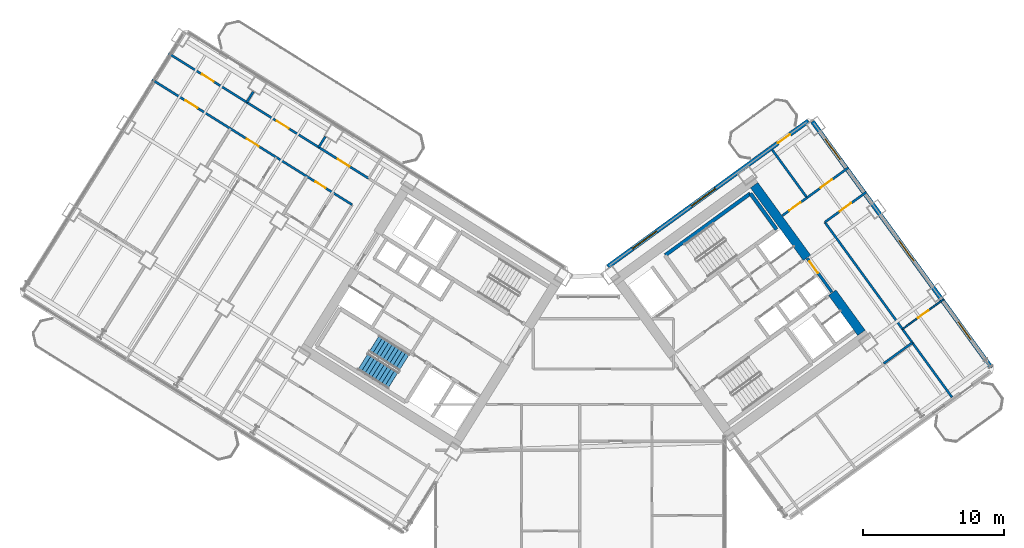
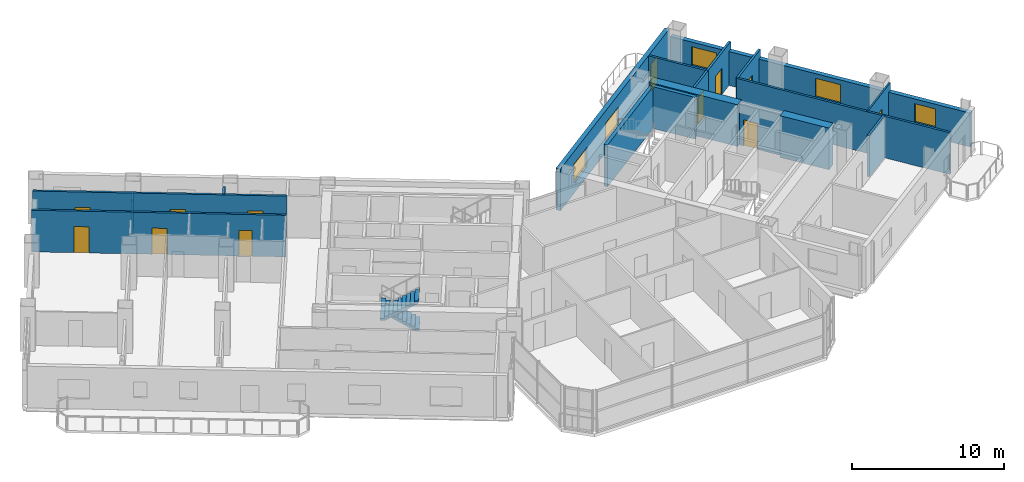
# One storey, part 19 of 28: 18 walls, 12 doors, 5 windows, 2 stair flights, 17 openings, 1 element without a shape of its own.
"""IFC4 building model written with IfcOpenShell, lengths in metres."""

from ifc_helpers import new_model, si_unit, direction, frame, frame_2d, origin, place, context, subcontext, project, spatial, polyline, rectangle, outline, extrude, source, transform, mapped, material, layer, layer_set, type_object, element, fill, aggregate, save


model = new_model("IFC4")

# Units and contexts
model_context = context("Model", 3, precision=1e-05, world=origin(), true_north=direction((0.0, 1.0)))
body_context = subcontext(model_context, "Body", "Model", "MODEL_VIEW")
ifc_project = project(units=[si_unit("LENGTHUNIT", "METRE"), si_unit("AREAUNIT", "SQUARE_METRE"), si_unit("VOLUMEUNIT", "CUBIC_METRE"), si_unit("PLANEANGLEUNIT", "RADIAN"), si_unit("MASSUNIT", "GRAM", prefix="KILO")], contexts=[model_context])

# Site, building, storey
site_placement = place(None, origin())
site = spatial("IfcSite", under=ifc_project, at=site_placement, CompositionType="ELEMENT")
building_placement = place(site_placement, origin())
building = spatial("IfcBuilding", under=site, at=building_placement, Name="Tlacorven Tower", CompositionType="ELEMENT")
storey_placement = place(building_placement, frame((0.0, 0.0, 42.0)))
storey = spatial("IfcBuildingStorey", under=building, at=storey_placement, Name="L10", CompositionType="ELEMENT", Elevation=42.0)

# Walls
ifc_material_1 = material(Name="Concrete C60/75", Category="concrete")
ifc_layer_1 = layer(ifc_material_1, 0.64990234375)
ifc_layer_set_1 = layer_set([ifc_layer_1], Name="Concrete C60/75")
wall_type_1 = type_object("IfcWallType", Name="WL-COR-650", PredefinedType="SHEAR", material=ifc_layer_set_1)
wall_1_placement = place(storey_placement, frame((61.9287109375, 20.494384765625, 0.0), z_axis=(0.0, 0.0, 1.0), x_axis=(-0.58782982593, 0.808984607855, 0.0)))
element("IfcWall", 1, at=wall_1_placement, inside=storey, type_object=wall_type_1, Name="L10 E core end wall E2.1", PredefinedType="SHEAR", context=body_context, shape_type="SweptSolid", body=[
    extrude(rectangle(XDim=3.52490234375, YDim=0.64990234375, at=frame_2d((1.762451171875, 0.0))), origin(), (0.0, 0.0, 1.0), 3.35009765625),
])
wall_2_placement = place(storey_placement, frame((58.06396484375, 25.8134765625, 0.0), z_axis=(0.0, 0.0, 1.0), x_axis=(-0.58777996584, 0.809020835181, 0.0)))
element("IfcWall", 2, at=wall_2_placement, inside=storey, type_object=wall_type_1, Name="L10 E core end wall E2.2", PredefinedType="SHEAR", context=body_context, shape_type="SweptSolid", body=[
    extrude(rectangle(XDim=6.375, YDim=0.64990234375, at=frame_2d((3.1875, 0.0))), origin(), (0.0, 0.0, 1.0), 3.35009765625),
])

# Wall, openings, doors
ifc_material_2 = material(Name="Gypsum plasterboard acoustic partition", Category="gypsum")
ifc_layer_2 = layer(ifc_material_2, 0.159912109375)
ifc_layer_set_2 = layer_set([ifc_layer_2], Name="Gypsum plasterboard acoustic partition")
wall_type_2 = type_object("IfcWallType", Name="WL-DEM-160", PredefinedType="PARTITIONING", material=ifc_layer_set_2)
wall_3_placement = place(storey_placement, frame((26.97265625, 31.447265625, 0.0), z_axis=(0.0, 0.0, 1.0), x_axis=(-0.848048310262, 0.529918921593, 0.0)))
wall_3 = element("IfcWall", 3, at=wall_3_placement, inside=storey, type_object=wall_type_2, Name="L10 Wing W Corridor South Wall", PredefinedType="PARTITIONING", context=body_context, shape_type="SweptSolid", body=[
    extrude(rectangle(XDim=16.72998046875, YDim=0.159912109375, at=frame_2d((8.364990234375, 0.0))), origin(), (0.0, 0.0, 1.0), 3.340087890625),
])
opening_1_placement = place(wall_3_placement, frame((1.58837890625, 0.0, 0.0)))
opening_1 = element("IfcOpeningElement", 4, at=opening_1_placement, cuts=wall_3, Name="Opening D11", PredefinedType="OPENING", context=body_context, shape_type="SweptSolid", body=[
    extrude(rectangle(XDim=1.0, YDim=2.10009765625, at=frame_2d((0.5, 1.050048828125))), frame((0.0, 0.08984375, 0.0), z_axis=(0.0, -1.0, 0.0), x_axis=(1.0, 0.0, 0.0)), (0.0, 0.0, 1.0), 0.179931640625),
])
opening_2_placement = place(wall_3_placement, frame((6.68505859375, 0.0, 0.0)))
opening_2 = element("IfcOpeningElement", 5, at=opening_2_placement, cuts=wall_3, Name="Opening D11", PredefinedType="OPENING", context=body_context, shape_type="SweptSolid", body=[
    extrude(rectangle(XDim=1.0, YDim=2.10009765625, at=frame_2d((0.5, 1.050048828125))), frame((0.0, 0.08984375, 0.0), z_axis=(0.0, -1.0, 0.0), x_axis=(1.0, 0.0, 0.0)), (0.0, 0.0, 1.0), 0.179931640625),
])
opening_3_placement = place(wall_3_placement, frame((12.951416015625, 0.0, 0.0)))
opening_3 = element("IfcOpeningElement", 6, at=opening_3_placement, cuts=wall_3, Name="Opening D11", PredefinedType="OPENING", context=body_context, shape_type="SweptSolid", body=[
    extrude(rectangle(XDim=1.0, YDim=2.10009765625, at=frame_2d((0.5, 1.050048828125))), frame((0.0, 0.08984375, 0.0), z_axis=(0.0, -1.0, 0.0), x_axis=(1.0, 0.0, 0.0)), (0.0, 0.0, 1.0), 0.179931640625),
])
ifc_material_3 = material(Name="Fire-rated steel door assembly", Category="steel")
door_type_1 = type_object("IfcDoorType", Name="DR-FLT-FD60-1000", OperationType="NOTDEFINED", PredefinedType="DOOR", material=ifc_material_3)
shared_shape_1 = source(origin(), body_context, "Body", "SweptSolid", [
    extrude(rectangle(XDim=1.0, YDim=2.10009765625, at=frame_2d((0.5, 1.050048828125))), frame((0.0, 0.02490234375, 0.0), z_axis=(0.0, -1.0, 0.0), x_axis=(1.0, 0.0, 0.0)), (0.0, 0.0, 1.0), 0.050048828125),
])
door_1_placement = place(opening_1_placement, frame((1.0, 0.0, 0.0), z_axis=(0.0, 0.0, 1.0), x_axis=(-1.0, 0.0, 0.0)))
door_1 = element("IfcDoor", 7, at=door_1_placement, inside=storey, type_object=door_type_1, Name="L10 door 032", OperationType="SINGLE_SWING_RIGHT", OverallHeight=2.10009765625, OverallWidth=1.0, PredefinedType="DOOR", context=body_context, shape_type="MappedRepresentation", body=[
    mapped(shared_shape_1, transform((0.0, 0.0, 0.0), scale=1.0)),
])
fill(opening_1, door_1)
door_2_placement = place(opening_2_placement, frame((1.0, 0.0, 0.0), z_axis=(0.0, 0.0, 1.0), x_axis=(-1.0, 0.0, 0.0)))
door_2 = element("IfcDoor", 8, at=door_2_placement, inside=storey, type_object=door_type_1, Name="L10 door 033", OperationType="SINGLE_SWING_LEFT", OverallHeight=2.10009765625, OverallWidth=1.0, PredefinedType="DOOR", context=body_context, shape_type="MappedRepresentation", body=[
    mapped(shared_shape_1, transform((0.0, 0.0, 0.0), scale=1.0)),
])
fill(opening_2, door_2)
door_3_placement = place(opening_3_placement, frame((1.0, 0.0, 0.0), z_axis=(0.0, 0.0, 1.0), x_axis=(-1.0, 0.0, 0.0)))
door_3 = element("IfcDoor", 9, at=door_3_placement, inside=storey, type_object=door_type_1, Name="L10 door 034", OperationType="SINGLE_SWING_RIGHT", OverallHeight=2.10009765625, OverallWidth=1.0, PredefinedType="DOOR", context=body_context, shape_type="MappedRepresentation", body=[
    mapped(shared_shape_1, transform((0.0, 0.0, 0.0), scale=1.0)),
])
fill(opening_3, door_3)

wall_4_placement = place(storey_placement, frame((25.806884765625, 29.58154296875, 0.0), z_axis=(0.0, 0.0, 1.0), x_axis=(-0.848052408131, 0.529912363569, 0.0)))
wall_4 = element("IfcWall", 10, at=wall_4_placement, inside=storey, type_object=wall_type_2, Name="L10 Wing W Corridor North Wall", PredefinedType="PARTITIONING", context=body_context, shape_type="SweptSolid", body=[
    extrude(rectangle(XDim=16.72998046875, YDim=0.159912109375, at=frame_2d((8.364990234375, 0.0))), origin(), (0.0, 0.0, 1.0), 3.340087890625),
])
opening_4_placement = place(wall_4_placement, frame((2.219970703125, 0.0, 0.0)))
opening_4 = element("IfcOpeningElement", 11, at=opening_4_placement, cuts=wall_4, Name="Opening D19", PredefinedType="OPENING", context=body_context, shape_type="SweptSolid", body=[
    extrude(rectangle(XDim=0.860107421875, YDim=2.050048828125, at=frame_2d((0.43017578125, 1.02490234375))), frame((0.0, 0.08984375, 0.0), z_axis=(0.0, -1.0, 0.0), x_axis=(1.0, 0.0, 0.0)), (0.0, 0.0, 1.0), 0.179931640625),
])
opening_5_placement = place(wall_4_placement, frame((7.820068359375, 0.0, 0.0)))
opening_5 = element("IfcOpeningElement", 12, at=opening_5_placement, cuts=wall_4, Name="Opening D11", PredefinedType="OPENING", context=body_context, shape_type="SweptSolid", body=[
    extrude(rectangle(XDim=1.0, YDim=2.10009765625, at=frame_2d((0.5, 1.050048828125))), frame((0.0, 0.08984375, 0.0), z_axis=(0.0, -1.0, 0.0), x_axis=(1.0, 0.0, 0.0)), (0.0, 0.0, 1.0), 0.179931640625),
])
opening_6_placement = place(wall_4_placement, frame((12.949951171875, 0.0, 0.0)))
opening_6 = element("IfcOpeningElement", 13, at=opening_6_placement, cuts=wall_4, Name="Opening D11", PredefinedType="OPENING", context=body_context, shape_type="SweptSolid", body=[
    extrude(rectangle(XDim=1.0, YDim=2.10009765625, at=frame_2d((0.5, 1.050048828125))), frame((0.0, 0.08984375, 0.0), z_axis=(0.0, -1.0, 0.0), x_axis=(1.0, 0.0, 0.0)), (0.0, 0.0, 1.0), 0.179931640625),
])
door_type_2 = type_object("IfcDoorType", Name="DR-RSR-FD60-0860", OperationType="NOTDEFINED", PredefinedType="DOOR", material=ifc_material_3)
shared_shape_2 = source(origin(), body_context, "Body", "SweptSolid", [
    extrude(rectangle(XDim=0.860107421875, YDim=2.050048828125, at=frame_2d((0.43017578125, 1.02490234375))), frame((0.0, 0.02490234375, 0.0), z_axis=(0.0, -1.0, 0.0), x_axis=(1.0, 0.0, 0.0)), (0.0, 0.0, 1.0), 0.050048828125),
])
door_4_placement = place(opening_4_placement, origin())
door_4 = element("IfcDoor", 14, at=door_4_placement, inside=storey, type_object=door_type_2, Name="L10 door 023", OperationType="SINGLE_SWING_LEFT", OverallHeight=2.050048828125, OverallWidth=0.860107421875, PredefinedType="DOOR", context=body_context, shape_type="MappedRepresentation", body=[
    mapped(shared_shape_2, transform((0.0, 0.0, 0.0), scale=1.0)),
])
fill(opening_4, door_4)
door_5_placement = place(opening_5_placement, origin())
door_5 = element("IfcDoor", 15, at=door_5_placement, inside=storey, type_object=door_type_1, Name="L10 door 027", OperationType="SINGLE_SWING_LEFT", OverallHeight=2.10009765625, OverallWidth=1.0, PredefinedType="DOOR", context=body_context, shape_type="MappedRepresentation", body=[
    mapped(shared_shape_1, transform((0.0, 0.0, 0.0), scale=1.0)),
])
fill(opening_5, door_5)
door_6_placement = place(opening_6_placement, origin())
door_6 = element("IfcDoor", 16, at=door_6_placement, inside=storey, type_object=door_type_1, Name="L10 door 030", OperationType="SINGLE_SWING_RIGHT", OverallHeight=2.10009765625, OverallWidth=1.0, PredefinedType="DOOR", context=body_context, shape_type="MappedRepresentation", body=[
    mapped(shared_shape_1, transform((0.0, 0.0, 0.0), scale=1.0)),
])
fill(opening_6, door_6)

# Walls
wall_5_placement = place(storey_placement, frame((23.90087890625, 34.413818359375, 0.0), z_axis=(0.0, 0.0, 1.0), x_axis=(-0.529776512202, -0.848137280821, 0.0)))
element("IfcWall", 17, at=wall_5_placement, inside=storey, type_object=wall_type_2, Name="L10 partition 64", PredefinedType="PARTITIONING", context=body_context, shape_type="SweptSolid", body=[
    extrude(rectangle(XDim=0.887939453125, YDim=0.159912109375, at=frame_2d((0.44384765625, 0.0))), origin(), (0.0, 0.0, 1.0), 3.340087890625),
])
wall_6_placement = place(storey_placement, frame((18.799072265625, 37.601806640625, 0.0), z_axis=(0.0, 0.0, 1.0), x_axis=(-0.529974231203, -0.848013746505, 0.0)))
element("IfcWall", 18, at=wall_6_placement, inside=storey, type_object=wall_type_2, Name="L10 partition 65", PredefinedType="PARTITIONING", context=body_context, shape_type="SweptSolid", body=[
    extrude(rectangle(XDim=0.88818359375, YDim=0.159912109375, at=frame_2d((0.444091796875, 0.0))), origin(), (0.0, 0.0, 1.0), 2.72509765625),
])
wall_7_placement = place(storey_placement, frame((63.5068359375, 18.322021484375, 0.0), z_axis=(0.0, 0.0, 1.0), x_axis=(0.809034604122, 0.587761013791, 0.0)))
element("IfcWall", 19, at=wall_7_placement, inside=storey, type_object=wall_type_2, Name="L10 partition 87", PredefinedType="PARTITIONING", context=body_context, shape_type="SweptSolid", body=[
    extrude(rectangle(XDim=2.510009765625, YDim=0.159912109375, at=frame_2d((1.2548828125, 0.0))), origin(), (0.0, 0.0, 1.0), 3.340087890625),
])

# Wall, opening, door
wall_8_placement = place(storey_placement, frame((56.32080078125, 28.8115234375, 0.0), z_axis=(0.0, 0.0, 1.0), x_axis=(0.809029482429, 0.587768063577, 0.0)))
wall_8 = element("IfcWall", 20, at=wall_8_placement, inside=storey, type_object=wall_type_2, Name="L10 partition 88", PredefinedType="PARTITIONING", context=body_context, shape_type="SweptSolid", body=[
    extrude(rectangle(XDim=2.158203125, YDim=0.159912109375, at=frame_2d((1.0791015625, 0.0))), origin(), (0.0, 0.0, 1.0), 3.340087890625),
])
opening_7_placement = place(wall_8_placement, frame((0.597900390625, 0.0, 0.0)))
opening_7 = element("IfcOpeningElement", 21, at=opening_7_placement, cuts=wall_8, Name="Opening D11", PredefinedType="OPENING", context=body_context, shape_type="SweptSolid", body=[
    extrude(rectangle(XDim=1.0, YDim=2.10009765625, at=frame_2d((0.5, 1.050048828125))), frame((0.0, 0.08984375, 0.0), z_axis=(0.0, -1.0, 0.0), x_axis=(1.0, 0.0, 0.0)), (0.0, 0.0, 1.0), 0.179931640625),
])
door_7_placement = place(opening_7_placement, origin())
door_7 = element("IfcDoor", 22, at=door_7_placement, inside=storey, type_object=door_type_1, Name="L10 door 051", OperationType="SINGLE_SWING_LEFT", OverallHeight=2.10009765625, OverallWidth=1.0, PredefinedType="DOOR", context=body_context, shape_type="MappedRepresentation", body=[
    mapped(shared_shape_1, transform((0.0, 0.0, 0.0), scale=1.0)),
])
fill(opening_7, door_7)

# Walls
wall_9_placement = place(storey_placement, frame((68.35302734375, 15.922119140625, 0.0), z_axis=(0.0, 0.0, 1.0), x_axis=(-0.587782002009, 0.809019355834, 0.0)))
element("IfcWall", 23, at=wall_9_placement, inside=storey, type_object=wall_type_2, Name="L10 partition 89", PredefinedType="PARTITIONING", context=body_context, shape_type="SweptSolid", body=[
    extrude(rectangle(XDim=15.35009765625, YDim=0.159912109375, at=frame_2d((7.675048828125, 0.0))), origin(), (0.0, 0.0, 1.0), 3.340087890625),
])
wall_10_placement = place(storey_placement, frame((58.06689453125, 30.080078125, 0.0), z_axis=(0.0, 0.0, 1.0), x_axis=(-0.587812175236, 0.808997433027, 0.0)))
element("IfcWall", 24, at=wall_10_placement, inside=storey, type_object=wall_type_2, Name="L10 partition 90", PredefinedType="PARTITIONING", context=body_context, shape_type="SweptSolid", body=[
    extrude(rectangle(XDim=4.199951171875, YDim=0.159912109375, at=frame_2d((2.10009765625, 0.0))), origin(), (0.0, 0.0, 1.0), 3.340087890625),
])

# Wall, opening, door
wall_11_placement = place(storey_placement, frame((59.33056640625, 28.340576171875, 0.0), z_axis=(0.0, 0.0, 1.0), x_axis=(0.809003564202, 0.587803736896, 0.0)))
wall_11 = element("IfcWall", 25, at=wall_11_placement, inside=storey, type_object=wall_type_2, Name="L10 partition 92", PredefinedType="PARTITIONING", context=body_context, shape_type="SweptSolid", body=[
    extrude(rectangle(XDim=3.630126953125, YDim=0.159912109375, at=frame_2d((1.81494140625, 0.0))), origin(), (0.0, 0.0, 1.0), 3.340087890625),
])
opening_8_placement = place(wall_11_placement, frame((1.304931640625, 0.0, 0.0)))
opening_8 = element("IfcOpeningElement", 26, at=opening_8_placement, cuts=wall_11, Name="Opening D11", PredefinedType="OPENING", context=body_context, shape_type="SweptSolid", body=[
    extrude(rectangle(XDim=1.0, YDim=2.10009765625, at=frame_2d((0.5, 1.050048828125))), frame((0.0, 0.08984375, 0.0), z_axis=(0.0, -1.0, 0.0), x_axis=(1.0, 0.0, 0.0)), (0.0, 0.0, 1.0), 0.179931640625),
])
door_8_placement = place(opening_8_placement, origin())
door_8 = element("IfcDoor", 27, at=door_8_placement, inside=storey, type_object=door_type_1, Name="L10 door 054", OperationType="SINGLE_SWING_RIGHT", OverallHeight=2.10009765625, OverallWidth=1.0, PredefinedType="DOOR", context=body_context, shape_type="MappedRepresentation", body=[
    mapped(shared_shape_1, transform((0.0, 0.0, 0.0), scale=1.0)),
])
fill(opening_8, door_8)

wall_12_placement = place(storey_placement, frame((58.06689453125, 30.080078125, 0.0), z_axis=(0.0, 0.0, 1.0), x_axis=(0.809012309495, 0.587791700422, 0.0)))
wall_12 = element("IfcWall", 28, at=wall_12_placement, inside=storey, type_object=wall_type_2, Name="L10 partition 93", PredefinedType="PARTITIONING", context=body_context, shape_type="SweptSolid", body=[
    extrude(rectangle(XDim=3.6298828125, YDim=0.159912109375, at=frame_2d((1.81494140625, 0.0))), origin(), (0.0, 0.0, 1.0), 3.340087890625),
])
opening_9_placement = place(wall_12_placement, frame((1.199951171875, 0.0, 0.0)))
opening_9 = element("IfcOpeningElement", 29, at=opening_9_placement, cuts=wall_12, Name="Opening D11", PredefinedType="OPENING", context=body_context, shape_type="SweptSolid", body=[
    extrude(rectangle(XDim=1.0, YDim=2.10009765625, at=frame_2d((0.5, 1.050048828125))), frame((0.0, 0.08984375, 0.0), z_axis=(0.0, -1.0, 0.0), x_axis=(1.0, 0.0, 0.0)), (0.0, 0.0, 1.0), 0.179931640625),
])
door_9_placement = place(opening_9_placement, origin())
door_9 = element("IfcDoor", 30, at=door_9_placement, inside=storey, type_object=door_type_1, Name="L10 door 053", OperationType="SINGLE_SWING_LEFT", OverallHeight=2.10009765625, OverallWidth=1.0, PredefinedType="DOOR", context=body_context, shape_type="MappedRepresentation", body=[
    mapped(shared_shape_1, transform((0.0, 0.0, 0.0), scale=1.0)),
])
fill(opening_9, door_9)

# Wall, openings, door, windows
ifc_material_4 = material(Name="Precast concrete C45/55", Category="concrete")
ifc_layer_3 = layer(ifc_material_4, 0.320068359375)
ifc_layer_set_3 = layer_set([ifc_layer_3], Name="Precast concrete C45/55")
wall_type_3 = type_object("IfcWallType", Name="WL-EXT-320", PredefinedType="STANDARD", material=ifc_layer_set_3)
wall_13_placement = place(storey_placement, frame((43.93798828125, 25.191650390625, 0.0), z_axis=(0.0, 0.0, 1.0), x_axis=(0.809016324578, 0.587786174187, 0.0)))
wall_13 = element("IfcWall", 31, at=wall_13_placement, inside=storey, type_object=wall_type_3, Name="L10 Masonry-Frame Recessed Facade Wall 4", PredefinedType="STANDARD", context=body_context, shape_type="SweptSolid", body=[
    extrude(rectangle(XDim=17.58740234375, YDim=0.320068359375, at=frame_2d((8.793701171875, 0.0))), origin(), (0.0, 0.0, 1.0), 3.35009765625),
])
opening_10_placement = place(wall_13_placement, frame((14.913818359375, 0.0, 0.0)))
opening_10 = element("IfcOpeningElement", 32, at=opening_10_placement, cuts=wall_13, Name="Opening D06", PredefinedType="OPENING", context=body_context, shape_type="SweptSolid", body=[
    extrude(rectangle(XDim=1.050048828125, YDim=2.14990234375, at=frame_2d((0.52490234375, 1.074951171875))), frame((0.0, 0.169921875, 0.0), z_axis=(0.0, -1.0, 0.0), x_axis=(1.0, 0.0, 0.0)), (0.0, 0.0, 1.0), 0.340087890625),
])
opening_11_placement = place(wall_13_placement, frame((2.168701171875, 0.0, 0.800048828125)))
opening_11 = element("IfcOpeningElement", 33, at=opening_11_placement, cuts=wall_13, Name="Opening WN04", PredefinedType="OPENING", context=body_context, shape_type="SweptSolid", body=[
    extrude(rectangle(XDim=2.10009765625, YDim=1.550048828125, at=frame_2d((1.050048828125, 0.77490234375))), frame((0.0, 0.169921875, 0.0), z_axis=(0.0, -1.0, 0.0), x_axis=(1.0, 0.0, 0.0)), (0.0, 0.0, 1.0), 0.340087890625),
])
opening_12_placement = place(wall_13_placement, frame((7.318603515625, 0.0, 0.800048828125)))
opening_12 = element("IfcOpeningElement", 34, at=opening_12_placement, cuts=wall_13, Name="Opening WN04", PredefinedType="OPENING", context=body_context, shape_type="SweptSolid", body=[
    extrude(rectangle(XDim=2.10009765625, YDim=1.550048828125, at=frame_2d((1.050048828125, 0.77490234375))), frame((0.0, 0.169921875, 0.0), z_axis=(0.0, -1.0, 0.0), x_axis=(1.0, 0.0, 0.0)), (0.0, 0.0, 1.0), 0.340087890625),
])
ifc_material_5 = material(Name="Powder-coated aluminium and timber door", Category="wood")
door_type_3 = type_object("IfcDoorType", Name="DR-EXT-BALC-1050", OperationType="NOTDEFINED", PredefinedType="DOOR", material=ifc_material_5)
shared_shape_3 = source(origin(), body_context, "Body", "SweptSolid", [
    extrude(rectangle(XDim=1.050048828125, YDim=2.14990234375, at=frame_2d((0.52490234375, 1.074951171875))), frame((0.0, 0.02490234375, 0.0), z_axis=(0.0, -1.0, 0.0), x_axis=(1.0, 0.0, 0.0)), (0.0, 0.0, 1.0), 0.050048828125),
])
door_10_placement = place(opening_10_placement, origin())
door_10 = element("IfcDoor", 35, at=door_10_placement, inside=storey, type_object=door_type_3, Name="L10 Outdoor Access Door BAL-L10-E-IN", OperationType="SINGLE_SWING_RIGHT", OverallHeight=2.14990234375, OverallWidth=1.050048828125, PredefinedType="DOOR", context=body_context, shape_type="MappedRepresentation", body=[
    mapped(shared_shape_3, transform((0.0, 0.0, 0.0), scale=1.0)),
])
fill(opening_10, door_10)
ifc_material_6 = material(Name="Dark solar low-E double glazing in anodised aluminium frame", Category="aluminium")
window_type_1 = type_object("IfcWindowType", Name="WN-APT-2100X1750", PartitioningType="SINGLE_PANEL", PredefinedType="WINDOW", material=ifc_material_6)
shared_shape_4 = source(origin(), body_context, "Body", "SweptSolid", [
    extrude(rectangle(XDim=2.10009765625, YDim=1.550048828125, at=frame_2d((1.050048828125, 0.77490234375))), frame((0.0, 0.030029296875, 0.0), z_axis=(0.0, -1.0, 0.0), x_axis=(1.0, 0.0, 0.0)), (0.0, 0.0, 1.0), 0.06005859375),
])
window_1_placement = place(opening_11_placement, origin())
window_1 = element("IfcWindow", 36, at=window_1_placement, inside=storey, type_object=window_type_1, Name="L10 Recessed Masonry-Frame Window L10-04.1", OverallHeight=1.550048828125, OverallWidth=2.10009765625, PartitioningType="SINGLE_PANEL", PredefinedType="WINDOW", context=body_context, shape_type="MappedRepresentation", body=[
    mapped(shared_shape_4, transform((0.0, 0.0, 0.0), scale=1.0)),
])
fill(opening_11, window_1)
window_2_placement = place(opening_12_placement, origin())
window_2 = element("IfcWindow", 37, at=window_2_placement, inside=storey, type_object=window_type_1, Name="L10 Recessed Masonry-Frame Window L10-04.2", OverallHeight=1.550048828125, OverallWidth=2.10009765625, PartitioningType="SINGLE_PANEL", PredefinedType="WINDOW", context=body_context, shape_type="MappedRepresentation", body=[
    mapped(shared_shape_4, transform((0.0, 0.0, 0.0), scale=1.0)),
])
fill(opening_12, window_2)

# Wall, openings, windows
wall_14_placement = place(storey_placement, frame((58.45458984375, 35.483642578125, 0.0), z_axis=(0.0, 0.0, 1.0), x_axis=(0.587783625747, -0.809018176127, 0.0)))
wall_14 = element("IfcWall", 38, at=wall_14_placement, inside=storey, type_object=wall_type_3, Name="L10 Masonry-Frame Recessed Facade Wall 5", PredefinedType="STANDARD", context=body_context, shape_type="SweptSolid", body=[
    extrude(rectangle(XDim=21.58740234375, YDim=0.320068359375, at=frame_2d((10.793701171875, 0.0))), origin(), (0.0, 0.0, 1.0), 2.72509765625),
])
opening_13_placement = place(wall_14_placement, frame((1.52880859375, 0.0, 0.85009765625)))
opening_13 = element("IfcOpeningElement", 39, at=opening_13_placement, cuts=wall_14, Name="Opening WN01", PredefinedType="OPENING", context=body_context, shape_type="SweptSolid", body=[
    extrude(rectangle(XDim=1.800048828125, YDim=1.5, at=frame_2d((0.89990234375, 0.75))), frame((0.0, 0.169921875, 0.0), z_axis=(0.0, -1.0, 0.0), x_axis=(1.0, 0.0, 0.0)), (0.0, 0.0, 1.0), 0.340087890625),
])
opening_14_placement = place(wall_14_placement, frame((10.443603515625, 0.0, 0.85009765625)))
opening_14 = element("IfcOpeningElement", 40, at=opening_14_placement, cuts=wall_14, Name="Opening WN01", PredefinedType="OPENING", context=body_context, shape_type="SweptSolid", body=[
    extrude(rectangle(XDim=1.800048828125, YDim=1.5, at=frame_2d((0.89990234375, 0.75))), frame((0.0, 0.169921875, 0.0), z_axis=(0.0, -1.0, 0.0), x_axis=(1.0, 0.0, 0.0)), (0.0, 0.0, 1.0), 0.340087890625),
])
opening_15_placement = place(wall_14_placement, frame((17.5947265625, 0.0, 0.85009765625)))
opening_15 = element("IfcOpeningElement", 41, at=opening_15_placement, cuts=wall_14, Name="Opening WN02", PredefinedType="OPENING", context=body_context, shape_type="SweptSolid", body=[
    extrude(rectangle(XDim=1.5, YDim=1.5, at=frame_2d((0.75, 0.75))), frame((0.0, 0.169921875, 0.0), z_axis=(0.0, -1.0, 0.0), x_axis=(1.0, 0.0, 0.0)), (0.0, 0.0, 1.0), 0.340087890625),
])
window_type_2 = type_object("IfcWindowType", Name="WN-APT-1800X1650", PartitioningType="SINGLE_PANEL", PredefinedType="WINDOW", material=ifc_material_6)
shared_shape_5 = source(origin(), body_context, "Body", "SweptSolid", [
    extrude(rectangle(XDim=1.800048828125, YDim=1.5, at=frame_2d((0.89990234375, 0.75))), frame((0.0, 0.030029296875, 0.0), z_axis=(0.0, -1.0, 0.0), x_axis=(1.0, 0.0, 0.0)), (0.0, 0.0, 1.0), 0.06005859375),
])
window_3_placement = place(opening_13_placement, origin())
window_3 = element("IfcWindow", 42, at=window_3_placement, inside=storey, type_object=window_type_2, Name="L10 Recessed Masonry-Frame Window L10-05.1", OverallHeight=1.5, OverallWidth=1.800048828125, PartitioningType="SINGLE_PANEL", PredefinedType="WINDOW", context=body_context, shape_type="MappedRepresentation", body=[
    mapped(shared_shape_5, transform((0.0, 0.0, 0.0), scale=1.0)),
])
fill(opening_13, window_3)
window_4_placement = place(opening_14_placement, origin())
window_4 = element("IfcWindow", 43, at=window_4_placement, inside=storey, type_object=window_type_2, Name="L10 Recessed Masonry-Frame Window L10-05.2", OverallHeight=1.5, OverallWidth=1.800048828125, PartitioningType="SINGLE_PANEL", PredefinedType="WINDOW", context=body_context, shape_type="MappedRepresentation", body=[
    mapped(shared_shape_5, transform((0.0, 0.0, 0.0), scale=1.0)),
])
fill(opening_14, window_4)
window_type_3 = type_object("IfcWindowType", Name="WN-APT-1500X1650", PartitioningType="SINGLE_PANEL", PredefinedType="WINDOW", material=ifc_material_6)
shared_shape_6 = source(origin(), body_context, "Body", "SweptSolid", [
    extrude(rectangle(XDim=1.5, YDim=1.5, at=frame_2d((0.75, 0.75))), frame((0.0, 0.030029296875, 0.0), z_axis=(0.0, -1.0, 0.0), x_axis=(1.0, 0.0, 0.0)), (0.0, 0.0, 1.0), 0.06005859375),
])
window_5_placement = place(opening_15_placement, origin())
window_5 = element("IfcWindow", 44, at=window_5_placement, inside=storey, type_object=window_type_3, Name="L10 Recessed Masonry-Frame Window L10-05.3", OverallHeight=1.5, OverallWidth=1.5, PartitioningType="SINGLE_PANEL", PredefinedType="WINDOW", context=body_context, shape_type="MappedRepresentation", body=[
    mapped(shared_shape_6, transform((0.0, 0.0, 0.0), scale=1.0)),
])
fill(opening_15, window_5)

# Wall, opening, door
ifc_material_7 = material(Name="Gypsum plasterboard partition", Category="gypsum")
ifc_layer_4 = layer(ifc_material_7, 0.110107421875)
ifc_layer_set_4 = layer_set([ifc_layer_4], Name="Gypsum plasterboard partition")
wall_type_4 = type_object("IfcWallType", Name="WL-INT-110", PredefinedType="PARTITIONING", material=ifc_layer_set_4)
wall_15_placement = place(storey_placement, frame((64.83935546875, 20.758544921875, 0.0), z_axis=(0.0, 0.0, 1.0), x_axis=(0.809013833588, 0.587789602718, 0.0)))
wall_15 = element("IfcWall", 45, at=wall_15_placement, inside=storey, type_object=wall_type_4, Name="L10 partition 94", PredefinedType="PARTITIONING", context=body_context, shape_type="SweptSolid", body=[
    extrude(rectangle(XDim=3.60986328125, YDim=0.110107421875, at=frame_2d((1.804931640625, 0.0))), origin(), (0.0, 0.0, 1.0), 3.340087890625),
])
opening_16_placement = place(wall_15_placement, frame((1.344970703125, 0.0, 0.0)))
opening_16 = element("IfcOpeningElement", 46, at=opening_16_placement, cuts=wall_15, Name="Opening D12", PredefinedType="OPENING", context=body_context, shape_type="SweptSolid", body=[
    extrude(rectangle(XDim=0.919921875, YDim=2.080078125, at=frame_2d((0.4599609375, 1.0400390625))), frame((0.0, 0.06494140625, 0.0), z_axis=(0.0, -1.0, 0.0), x_axis=(1.0, 0.0, 0.0)), (0.0, 0.0, 1.0), 0.130126953125),
])
door_type_4 = type_object("IfcDoorType", Name="DR-INT-ROOM-0920", OperationType="NOTDEFINED", PredefinedType="DOOR", material=ifc_material_5)
shared_shape_7 = source(origin(), body_context, "Body", "SweptSolid", [
    extrude(rectangle(XDim=0.919921875, YDim=2.080078125, at=frame_2d((0.4599609375, 1.0400390625))), frame((0.0, 0.02490234375, 0.0), z_axis=(0.0, -1.0, 0.0), x_axis=(1.0, 0.0, 0.0)), (0.0, 0.0, 1.0), 0.050048828125),
])
door_11_placement = place(opening_16_placement, origin())
door_11 = element("IfcDoor", 47, at=door_11_placement, inside=storey, type_object=door_type_4, Name="L10 door 055", OperationType="SINGLE_SWING_LEFT", OverallHeight=2.080078125, OverallWidth=0.919921875, PredefinedType="DOOR", context=body_context, shape_type="MappedRepresentation", body=[
    mapped(shared_shape_7, transform((0.0, 0.0, 0.0), scale=1.0)),
])
fill(opening_16, door_11)

ifc_material_8 = material(Name="Concrete C40/50", Category="concrete")
ifc_layer_5 = layer(ifc_material_8, 0.199951171875)
ifc_layer_set_5 = layer_set([ifc_layer_5], Name="Concrete C40/50")
wall_type_5 = type_object("IfcWallType", Name="WL-SHF-200", PredefinedType="STANDARD", material=ifc_layer_set_5)
wall_16_placement = place(storey_placement, frame((59.827392578125, 23.386474609375, 0.0), z_axis=(0.0, 0.0, 1.0), x_axis=(-0.587803840107, 0.809003489211, 0.0)))
wall_16 = element("IfcWall", 48, at=wall_16_placement, inside=storey, type_object=wall_type_5, Name="L10 partition 86", PredefinedType="STANDARD", context=body_context, shape_type="SweptSolid", body=[
    extrude(rectangle(XDim=2.960205078125, YDim=0.199951171875, at=frame_2d((1.47998046875, 0.0))), origin(), (0.0, 0.0, 1.0), 3.340087890625),
])
opening_17_placement = place(wall_16_placement, frame((1.679931640625, 0.0, 0.0)))
opening_17 = element("IfcOpeningElement", 49, at=opening_17_placement, cuts=wall_16, Name="Opening D11", PredefinedType="OPENING", context=body_context, shape_type="SweptSolid", body=[
    extrude(rectangle(XDim=1.0, YDim=2.10009765625, at=frame_2d((0.5, 1.050048828125))), frame((0.0, 0.10986328125, 0.0), z_axis=(0.0, -1.0, 0.0), x_axis=(1.0, 0.0, 0.0)), (0.0, 0.0, 1.0), 0.219970703125),
])
door_12_placement = place(opening_17_placement, origin())
door_12 = element("IfcDoor", 50, at=door_12_placement, inside=storey, type_object=door_type_1, Name="L10 door 052", OperationType="SINGLE_SWING_RIGHT", OverallHeight=2.10009765625, OverallWidth=1.0, PredefinedType="DOOR", context=body_context, shape_type="MappedRepresentation", body=[
    mapped(shared_shape_1, transform((0.0, 0.0, 0.0), scale=1.0)),
])
fill(opening_17, door_12)

# Walls
ifc_material_9 = material(Name="Concrete C50/60", Category="concrete")
ifc_layer_6 = layer(ifc_material_9, 0.260009765625)
ifc_layer_set_6 = layer_set([ifc_layer_6], Name="Concrete C50/60")
wall_type_6 = type_object("IfcWallType", Name="WL-STW-260", PredefinedType="SHEAR", material=ifc_layer_set_6)
wall_17_placement = place(storey_placement, frame((48.005615234375, 25.996337890625, 0.0), z_axis=(0.0, 0.0, 1.0), x_axis=(0.80901903764, 0.587782439969, 0.0)))
element("IfcWall", 51, at=wall_17_placement, inside=storey, type_object=wall_type_6, Name="L10 Stair E1 Far Shear Wall", PredefinedType="SHEAR", context=body_context, shape_type="SweptSolid", body=[
    extrude(rectangle(XDim=7.4599609375, YDim=0.260009765625, at=frame_2d((3.72998046875, 0.0))), origin(), (0.0, 0.0, 1.0), 3.35009765625),
])
wall_18_placement = place(storey_placement, frame((55.906494140625, 27.83056640625, 0.0), z_axis=(0.0, 0.0, 1.0), x_axis=(-0.587804123638, 0.809003283204, 0.0)))
element("IfcWall", 52, at=wall_18_placement, inside=storey, type_object=wall_type_6, Name="L10 Stair E1 East Shear Wall", PredefinedType="SHEAR", context=body_context, shape_type="SweptSolid", body=[
    extrude(rectangle(XDim=3.159912109375, YDim=0.260009765625, at=frame_2d((1.580078125, 0.0))), origin(), (0.0, 0.0, 1.0), 3.35009765625),
])

# Stair, stair flights
stair_type = type_object("IfcStairType", Name="ST-CORE-DLG", PredefinedType="HALF_TURN_STAIR", material=ifc_material_8)
stair_placement = place(storey_placement, origin())
stair = element("IfcStair", 53, at=stair_placement, inside=storey, type_object=stair_type, Name="L10 Protected Exit Stair West 1", PredefinedType="HALF_TURN_STAIR")
stair_flight_type = type_object("IfcStairFlightType", Name="SFL-RC-1380", PredefinedType="STRAIGHT", material=ifc_material_8)
shared_shape_8 = source(origin(), body_context, "Body", "SweptSolid", [
    extrude(outline(polyline([(-0.0029296875, -0.0029296875), (-0.0029296875, 0.179931640625), (0.280029296875, 0.179931640625), (0.280029296875, 0.360107421875), (0.56005859375, 0.360107421875), (0.56005859375, 0.5400390625), (0.840087890625, 0.5400390625), (0.840087890625, 0.719970703125), (1.1201171875, 0.719970703125), (1.1201171875, 0.89990234375), (1.39990234375, 0.89990234375), (1.39990234375, 1.080078125), (1.679931640625, 1.080078125), (1.679931640625, 1.260009765625), (1.9599609375, 1.260009765625), (1.9599609375, 1.43994140625), (2.239990234375, 1.43994140625), (2.239990234375, 1.6201171875), (2.52001953125, 1.6201171875), (2.52001953125, 1.800048828125), (2.52294921875, 1.800048828125), (2.52294921875, 1.429931640625), (2.52001953125, 1.429931640625), (0.295654296875, 0.0), (0.295654296875, -0.0029296875), (-0.0029296875, -0.0029296875)])), frame((0.0, 0.68994140625, 0.0), z_axis=(0.0, -1.0, 0.0), x_axis=(1.0, 0.0, 0.0)), (0.0, 0.0, 1.0), 1.3798828125),
])
stair_flight_1_placement = place(storey_placement, frame((29.499755859375, 18.39453125, 0.0), z_axis=(0.0, 0.0, 1.0), x_axis=(-0.848048096156, 0.529919264233, 0.0)))
stair_flight_1 = element("IfcStairFlight", 54, at=stair_flight_1_placement, type_object=stair_flight_type, Name="ST-W1 flight 1", NumberOfRisers=10, NumberOfTreads=9, PredefinedType="STRAIGHT", RiserHeight=0.18, TreadLength=0.28, context=body_context, shape_type="MappedRepresentation", body=[
    mapped(shared_shape_8, transform((0.0, 0.0, 0.0), scale=1.0)),
])
stair_flight_2_placement = place(storey_placement, frame((26.56787109375, 18.4580078125, 1.800048828125), z_axis=(0.0, 0.0, 1.0), x_axis=(0.848048096156, -0.529919264233, 0.0)))
stair_flight_2 = element("IfcStairFlight", 55, at=stair_flight_2_placement, type_object=stair_flight_type, Name="ST-W1 flight 2", NumberOfRisers=10, NumberOfTreads=9, PredefinedType="STRAIGHT", RiserHeight=0.18, TreadLength=0.28, context=body_context, shape_type="MappedRepresentation", body=[
    mapped(shared_shape_8, transform((0.0, 0.0, 0.0), scale=1.0)),
])
aggregate(stair, [stair_flight_1, stair_flight_2])

save(model, "model.ifc")
